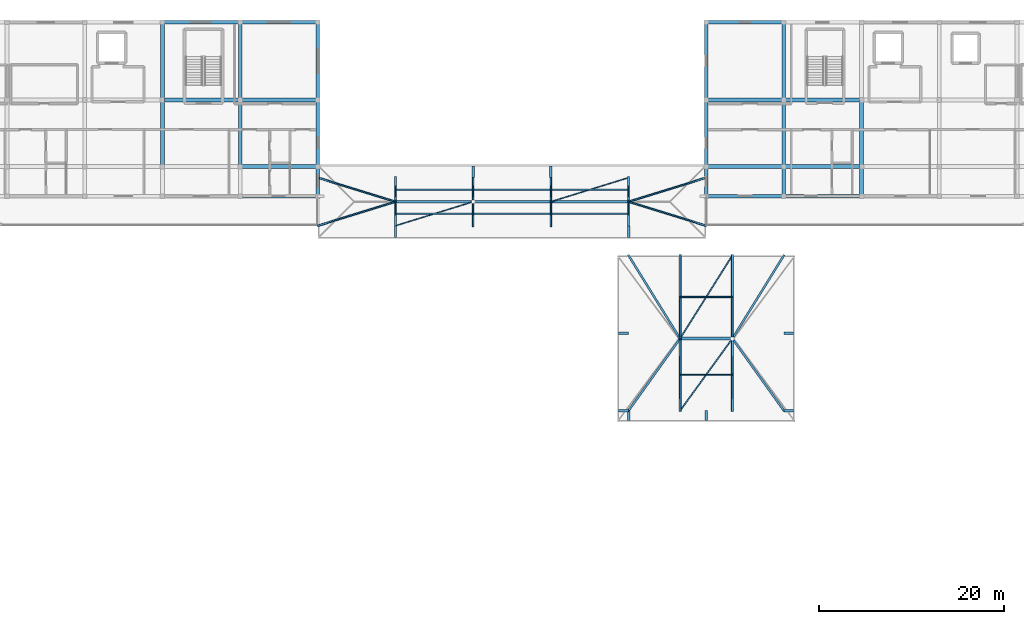
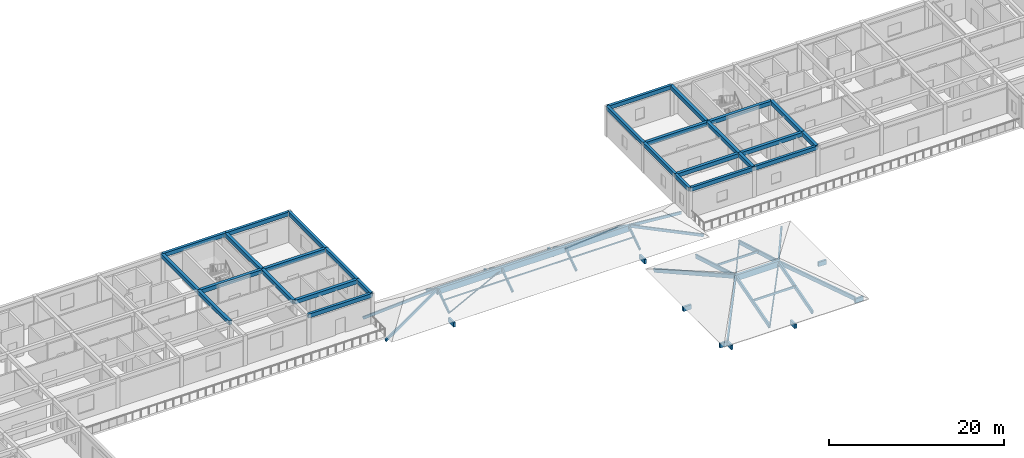
# One storey, part 4 of 26: 40 beams, 32 members.
"""IFC4 building model written with IfcOpenShell, lengths in metres."""

from ifc_helpers import new_model, si_unit, direction, frame, origin, origin_2d, place, context, subcontext, project, spatial, rectangle, hollow_rectangle, extrude, material, material_profile, profile_set, type_object, element, save


model = new_model("IFC4")

# Units and contexts
model_context = context("Model", 3, precision=1e-05, world=origin(), true_north=direction((0.0, 1.0)))
body_context = subcontext(model_context, "Body", "Model", "MODEL_VIEW")
ifc_project = project(units=[si_unit("LENGTHUNIT", "METRE"), si_unit("AREAUNIT", "SQUARE_METRE"), si_unit("VOLUMEUNIT", "CUBIC_METRE"), si_unit("PLANEANGLEUNIT", "RADIAN"), si_unit("MASSUNIT", "GRAM", prefix="KILO")], contexts=[model_context])

# Site, building, storey
site_placement = place(None, origin())
site = spatial("IfcSite", under=ifc_project, at=site_placement, CompositionType="ELEMENT")
building_placement = place(site_placement, origin())
building = spatial("IfcBuilding", under=site, at=building_placement, Name="Varncliffe General Hospital", CompositionType="ELEMENT")
storey_placement = place(building_placement, frame((0.0, 0.0, 28.800048828125)))
storey = spatial("IfcBuildingStorey", under=building, at=storey_placement, Name="L06", CompositionType="ELEMENT", Elevation=28.800048828125)

# Beams
ifc_material_1 = material(Name="Concrete C35/45 (CSA A23.1 35 MPa)", Category="concrete")
ifc_material_profile_1 = material_profile(ifc_material_1, rectangle(XDim=0.39990234375, YDim=0.550048828125, at=origin_2d()), Name="RC 400x550")
ifc_profile_set_1 = profile_set([ifc_material_profile_1], Name="Concrete C35/45 (CSA A23.1 35 MPa)")
beam_type_1 = type_object("IfcBeamType", Name="Beam B32 (Int RC 400x550)", PredefinedType="BEAM", material=ifc_profile_set_1)
beam_1_placement = place(storey_placement, frame((58.800048828125, 109.199951171875, 3.925048828125), z_axis=(1.0, 0.0, 0.0), x_axis=(0.0, 1.0, 0.0)))
element("IfcBeam", 1, at=beam_1_placement, inside=storey, type_object=beam_type_1, Name="L06 Primary Beam B32-42", PredefinedType="BEAM", context=body_context, shape_type="SweptSolid", body=[
    extrude(rectangle(XDim=0.39990234375, YDim=0.550048828125, at=origin_2d()), origin(), (0.0, 0.0, 1.0), 8.39990234375),
])
beam_2_placement = place(storey_placement, frame((109.199951171875, 109.199951171875, 3.925048828125), z_axis=(1.0, 0.0, 0.0), x_axis=(0.0, 1.0, 0.0)))
element("IfcBeam", 2, at=beam_2_placement, inside=storey, type_object=beam_type_1, Name="L06 Primary Beam B32-43", PredefinedType="BEAM", context=body_context, shape_type="SweptSolid", body=[
    extrude(rectangle(XDim=0.39990234375, YDim=0.550048828125, at=origin_2d()), origin(), (0.0, 0.0, 1.0), 8.400146484375),
])
beam_3_placement = place(storey_placement, frame((117.60009765625, 109.199951171875, 3.925048828125), z_axis=(1.0, 0.0, 0.0), x_axis=(0.0, 1.0, 0.0)))
element("IfcBeam", 3, at=beam_3_placement, inside=storey, type_object=beam_type_1, Name="L06 Primary Beam B32-44", PredefinedType="BEAM", context=body_context, shape_type="SweptSolid", body=[
    extrude(rectangle(XDim=0.39990234375, YDim=0.550048828125, at=origin_2d()), origin(), (0.0, 0.0, 1.0), 8.39990234375),
])
beam_4_placement = place(storey_placement, frame((50.39990234375, 116.39990234375, 3.925048828125), z_axis=(1.0, 0.0, 0.0), x_axis=(0.0, 1.0, 0.0)))
element("IfcBeam", 4, at=beam_4_placement, inside=storey, type_object=beam_type_1, Name="L06 Primary Beam B32-57", PredefinedType="BEAM", context=body_context, shape_type="SweptSolid", body=[
    extrude(rectangle(XDim=0.39990234375, YDim=0.550048828125, at=origin_2d()), origin(), (0.0, 0.0, 1.0), 8.400146484375),
])
beam_5_placement = place(storey_placement, frame((58.800048828125, 116.39990234375, 3.925048828125), z_axis=(1.0, 0.0, 0.0), x_axis=(0.0, 1.0, 0.0)))
element("IfcBeam", 5, at=beam_5_placement, inside=storey, type_object=beam_type_1, Name="L06 Primary Beam B32-58", PredefinedType="BEAM", context=body_context, shape_type="SweptSolid", body=[
    extrude(rectangle(XDim=0.39990234375, YDim=0.550048828125, at=origin_2d()), origin(), (0.0, 0.0, 1.0), 8.39990234375),
])
beam_6_placement = place(storey_placement, frame((109.199951171875, 116.39990234375, 3.925048828125), z_axis=(1.0, 0.0, 0.0), x_axis=(0.0, 1.0, 0.0)))
element("IfcBeam", 6, at=beam_6_placement, inside=storey, type_object=beam_type_1, Name="L06 Primary Beam B32-59", PredefinedType="BEAM", context=body_context, shape_type="SweptSolid", body=[
    extrude(rectangle(XDim=0.39990234375, YDim=0.550048828125, at=origin_2d()), origin(), (0.0, 0.0, 1.0), 8.400146484375),
])
beam_7_placement = place(storey_placement, frame((117.60009765625, 116.39990234375, 3.925048828125), z_axis=(1.0, 0.0, 0.0), x_axis=(0.0, 1.0, 0.0)))
element("IfcBeam", 7, at=beam_7_placement, inside=storey, type_object=beam_type_1, Name="L06 Primary Beam B32-60", PredefinedType="BEAM", context=body_context, shape_type="SweptSolid", body=[
    extrude(rectangle(XDim=0.39990234375, YDim=0.550048828125, at=origin_2d()), origin(), (0.0, 0.0, 1.0), 8.39990234375),
])
beam_8_placement = place(storey_placement, frame((50.39990234375, 109.199951171875, 3.925048828125), z_axis=(0.0, 1.0, 0.0), x_axis=(-1.0, 0.0, 0.0)))
element("IfcBeam", 8, at=beam_8_placement, inside=storey, type_object=beam_type_1, Name="L06 Primary Beam B32-114", PredefinedType="BEAM", context=body_context, shape_type="SweptSolid", body=[
    extrude(rectangle(XDim=0.39990234375, YDim=0.550048828125, at=origin_2d()), origin(), (0.0, 0.0, 1.0), 7.199951171875),
])
beam_9_placement = place(storey_placement, frame((50.39990234375, 116.39990234375, 3.925048828125), z_axis=(0.0, 1.0, 0.0), x_axis=(-1.0, 0.0, 0.0)))
element("IfcBeam", 9, at=beam_9_placement, inside=storey, type_object=beam_type_1, Name="L06 Primary Beam B32-115", PredefinedType="BEAM", context=body_context, shape_type="SweptSolid", body=[
    extrude(rectangle(XDim=0.39990234375, YDim=0.550048828125, at=origin_2d()), origin(), (0.0, 0.0, 1.0), 8.400146484375),
])
beam_10_placement = place(storey_placement, frame((58.800048828125, 109.199951171875, 3.925048828125), z_axis=(0.0, 1.0, 0.0), x_axis=(-1.0, 0.0, 0.0)))
element("IfcBeam", 10, at=beam_10_placement, inside=storey, type_object=beam_type_1, Name="L06 Primary Beam B32-117", PredefinedType="BEAM", context=body_context, shape_type="SweptSolid", body=[
    extrude(rectangle(XDim=0.39990234375, YDim=0.550048828125, at=origin_2d()), origin(), (0.0, 0.0, 1.0), 7.199951171875),
])
beam_11_placement = place(storey_placement, frame((58.800048828125, 116.39990234375, 3.925048828125), z_axis=(0.0, 1.0, 0.0), x_axis=(-1.0, 0.0, 0.0)))
element("IfcBeam", 11, at=beam_11_placement, inside=storey, type_object=beam_type_1, Name="L06 Primary Beam B32-118", PredefinedType="BEAM", context=body_context, shape_type="SweptSolid", body=[
    extrude(rectangle(XDim=0.39990234375, YDim=0.550048828125, at=origin_2d()), origin(), (0.0, 0.0, 1.0), 8.400146484375),
])
beam_12_placement = place(storey_placement, frame((117.60009765625, 106.0, 3.925048828125), z_axis=(0.0, 1.0, 0.0), x_axis=(-1.0, 0.0, 0.0)))
element("IfcBeam", 12, at=beam_12_placement, inside=storey, type_object=beam_type_1, Name="L06 Primary Beam B32-125", PredefinedType="BEAM", context=body_context, shape_type="SweptSolid", body=[
    extrude(rectangle(XDim=0.39990234375, YDim=0.550048828125, at=origin_2d()), origin(), (0.0, 0.0, 1.0), 3.199951171875),
])
beam_13_placement = place(storey_placement, frame((117.60009765625, 109.199951171875, 3.925048828125), z_axis=(0.0, 1.0, 0.0), x_axis=(-1.0, 0.0, 0.0)))
element("IfcBeam", 13, at=beam_13_placement, inside=storey, type_object=beam_type_1, Name="L06 Primary Beam B32-126", PredefinedType="BEAM", context=body_context, shape_type="SweptSolid", body=[
    extrude(rectangle(XDim=0.39990234375, YDim=0.550048828125, at=origin_2d()), origin(), (0.0, 0.0, 1.0), 7.199951171875),
])
beam_14_placement = place(storey_placement, frame((117.60009765625, 116.39990234375, 3.925048828125), z_axis=(0.0, 1.0, 0.0), x_axis=(-1.0, 0.0, 0.0)))
element("IfcBeam", 14, at=beam_14_placement, inside=storey, type_object=beam_type_1, Name="L06 Primary Beam B32-127", PredefinedType="BEAM", context=body_context, shape_type="SweptSolid", body=[
    extrude(rectangle(XDim=0.39990234375, YDim=0.550048828125, at=origin_2d()), origin(), (0.0, 0.0, 1.0), 8.400146484375),
])
beam_15_placement = place(storey_placement, frame((126.0, 106.0, 3.925048828125), z_axis=(0.0, 1.0, 0.0), x_axis=(-1.0, 0.0, 0.0)))
element("IfcBeam", 15, at=beam_15_placement, inside=storey, type_object=beam_type_1, Name="L06 Primary Beam B32-128", PredefinedType="BEAM", context=body_context, shape_type="SweptSolid", body=[
    extrude(rectangle(XDim=0.39990234375, YDim=0.550048828125, at=origin_2d()), origin(), (0.0, 0.0, 1.0), 3.199951171875),
])
beam_16_placement = place(storey_placement, frame((126.0, 109.199951171875, 3.925048828125), z_axis=(0.0, 1.0, 0.0), x_axis=(-1.0, 0.0, 0.0)))
element("IfcBeam", 16, at=beam_16_placement, inside=storey, type_object=beam_type_1, Name="L06 Primary Beam B32-129", PredefinedType="BEAM", context=body_context, shape_type="SweptSolid", body=[
    extrude(rectangle(XDim=0.39990234375, YDim=0.550048828125, at=origin_2d()), origin(), (0.0, 0.0, 1.0), 7.199951171875),
])
ifc_material_2 = material(Name="Glulam GL28h (CSA O86 24f-EX, 30 MPa)", Category="wood")
ifc_material_profile_2 = material_profile(ifc_material_2, rectangle(XDim=0.31494140625, YDim=0.8359375, at=origin_2d()), Name="GL 315x836")
ifc_profile_set_2 = profile_set([ifc_material_profile_2], Name="Glulam GL28h (CSA O86 24f-EX, 30 MPa)")
beam_type_2 = type_object("IfcBeamType", Name="Beam B74 (Int GL 315x836)", PredefinedType="BEAM", material=ifc_profile_set_2)
beam_17_placement = place(storey_placement, frame((106.2099609375, 90.60009765625, 1.91943359375), z_axis=(1.0, 0.0, 0.0), x_axis=(0.0, 1.0, 0.0)))
element("IfcBeam", 17, at=beam_17_placement, inside=storey, type_object=beam_type_2, Name="L06 RF-V4-PH Glulam Ridge Girder", PredefinedType="BEAM", context=body_context, shape_type="SweptSolid", body=[
    extrude(rectangle(XDim=0.31494140625, YDim=0.8359375, at=origin_2d()), origin(), (0.0, 0.0, 1.0), 5.97998046875),
])
beam_18_placement = place(storey_placement, frame((75.43994140625, 105.39990234375, 1.845458984375), z_axis=(1.0, 0.0, 0.0), x_axis=(0.0, 1.0, 0.0)))
element("IfcBeam", 18, at=beam_18_placement, inside=storey, type_object=beam_type_2, Name="L06 RF-V6-LINK Glulam Ridge Girder", PredefinedType="BEAM", context=body_context, shape_type="SweptSolid", body=[
    extrude(rectangle(XDim=0.31494140625, YDim=0.8359375, at=origin_2d()), origin(), (0.0, 0.0, 1.0), 25.52001953125),
])
ifc_material_profile_3 = material_profile(ifc_material_2, rectangle(XDim=0.264892578125, YDim=0.60791015625, at=origin_2d()), Name="GL 265x608")
ifc_profile_set_3 = profile_set([ifc_material_profile_3], Name="Glulam GL28h (CSA O86 24f-EX, 30 MPa)")
beam_type_3 = type_object("IfcBeamType", Name="Beam B82 (Ext GL 265x608)", PredefinedType="BEAM", material=ifc_profile_set_3)
for number, where, z_axis, x_axis, name in (
    (19, (109.199951171875, 81.739990234375, -0.512939453125), (0.0, 1.0, 0.0), (-1.0, 0.0, 0.0), "L06 RF-V4-PH South Eave Lookout Bracket 1"),
    (20, (100.800048828125, 81.739990234375, -0.512939453125), (0.0, 1.0, 0.0), (-1.0, 0.0, 0.0), "L06 RF-V4-PH South Eave Lookout Bracket 2"),
    (21, (99.739990234375, 91.199951171875, -0.512939453125), (1.0, 0.0, 0.0), (0.0, 1.0, 0.0), "L06 RF-V4-PH West Eave Lookout Bracket 1"),
    (22, (99.739990234375, 82.800048828125, -0.512939453125), (1.0, 0.0, 0.0), (0.0, 1.0, 0.0), "L06 RF-V4-PH West Eave Lookout Bracket 2"),
):
    element("IfcBeam", number, at=place(storey_placement, frame(where, z_axis=z_axis, x_axis=x_axis)), inside=storey, type_object=beam_type_3, Name=name, PredefinedType="BEAM", context=body_context, shape_type="SweptSolid", body=[
        extrude(rectangle(XDim=0.264892578125, YDim=0.60791015625, at=origin_2d()), origin(), (0.0, 0.0, 1.0), 1.06005859375),
    ])
for number, where, z_axis, x_axis, name in (
    (23, (117.60009765625, 91.199951171875, -0.512939453125), (1.0, 0.0, 0.0), (0.0, 1.0, 0.0), "L06 RF-V4-PH East Eave Lookout Bracket 1"),
    (24, (117.60009765625, 82.800048828125, -0.512939453125), (1.0, 0.0, 0.0), (0.0, 1.0, 0.0), "L06 RF-V4-PH East Eave Lookout Bracket 2"),
):
    element("IfcBeam", number, at=place(storey_placement, frame(where, z_axis=z_axis, x_axis=x_axis)), inside=storey, type_object=beam_type_3, Name=name, PredefinedType="BEAM", context=body_context, shape_type="SweptSolid", body=[
        extrude(rectangle(XDim=0.264892578125, YDim=0.60791015625, at=origin_2d()), origin(), (0.0, 0.0, 1.0), 1.059814453125),
    ])
for number, where, z_axis, x_axis, name in (
    (25, (75.60009765625, 101.5400390625, -0.54638671875), (0.0, 1.0, 0.0), (-1.0, 0.0, 0.0), "L06 RF-V6-LINK South Eave Lookout Bracket 1"),
    (26, (100.800048828125, 101.5400390625, -0.54638671875), (0.0, 1.0, 0.0), (-1.0, 0.0, 0.0), "L06 RF-V6-LINK South Eave Lookout Bracket 2"),
    (27, (84.0, 108.0, -0.54638671875), (0.0, 1.0, 0.0), (-1.0, 0.0, 0.0), "L06 RF-V6-LINK North Eave Lookout Bracket 1"),
    (28, (92.39990234375, 108.0, -0.54638671875), (0.0, 1.0, 0.0), (-1.0, 0.0, 0.0), "L06 RF-V6-LINK North Eave Lookout Bracket 2"),
):
    element("IfcBeam", number, at=place(storey_placement, frame(where, z_axis=z_axis, x_axis=x_axis)), inside=storey, type_object=beam_type_3, Name=name, PredefinedType="BEAM", context=body_context, shape_type="SweptSolid", body=[
        extrude(rectangle(XDim=0.264892578125, YDim=0.60791015625, at=origin_2d()), origin(), (0.0, 0.0, 1.0), 1.260009765625),
    ])

# Members
ifc_material_3 = material(Name="Steel S355 (CSA G40.21 350W)", Category="steel")
ifc_material_profile_4 = material_profile(ifc_material_3, hollow_rectangle(XDim=0.152099609375, YDim=0.25390625, WallThickness=0.009521484375, InnerFilletRadius=0.010009765625, OuterFilletRadius=0.01904296875, at=origin_2d()), Name="HSS 254x152x9.5")
ifc_profile_set_4 = profile_set([ifc_material_profile_4], Name="Steel S355 (CSA G40.21 350W)")
member_type_1 = type_object("IfcMemberType", Name="Member MB25 (BRACE Int HSS 254x152x9.5)", PredefinedType="BRACE", material=ifc_profile_set_4)
member_1_placement = place(storey_placement, frame((106.3701171875, 82.800048828125, -0.203369140625), z_axis=(0.573549762728, 0.790421488564, 0.215115178662), x_axis=(-0.809369902197, 0.587299209447, 0.0)))
element("IfcMember", 29, at=member_1_placement, inside=storey, type_object=member_type_1, Name="L06 RF-V4-PH Lateral Wind Brace 1", PredefinedType="BRACE", context=body_context, shape_type="SweptSolid", body=[
    extrude(hollow_rectangle(XDim=0.152099609375, YDim=0.25390625, WallThickness=0.009521484375, InnerFilletRadius=0.010009765625, OuterFilletRadius=0.01904296875, at=origin_2d()), origin(), (0.0, 0.0, 1.0), 9.8681640625),
])
member_2_placement = place(storey_placement, frame((112.030029296875, 99.60009765625, -0.5556640625), z_axis=(-0.518493289236, -0.824472096554, 0.226738772647), x_axis=(0.84651917258, -0.532358235078, 0.0)))
element("IfcMember", 30, at=member_2_placement, inside=storey, type_object=member_type_1, Name="L06 RF-V4-PH Lateral Wind Brace 2", PredefinedType="BRACE", context=body_context, shape_type="SweptSolid", body=[
    extrude(hollow_rectangle(XDim=0.152099609375, YDim=0.25390625, WallThickness=0.009521484375, InnerFilletRadius=0.010009765625, OuterFilletRadius=0.01904296875, at=origin_2d()), origin(), (0.0, 0.0, 1.0), 10.916015625),
])
ifc_material_profile_5 = material_profile(ifc_material_3, hollow_rectangle(XDim=0.10205078125, YDim=0.202880859375, WallThickness=0.008056640625, InnerFilletRadius=0.008056640625, OuterFilletRadius=0.01611328125, at=origin_2d()), Name="HSS 203x102x8.0")
ifc_profile_set_5 = profile_set([ifc_material_profile_5], Name="Steel S355 (CSA G40.21 350W)")
member_type_2 = type_object("IfcMemberType", Name="Member MB29 (PURLIN Int HSS 203x102x8.0)", PredefinedType="PURLIN", material=ifc_profile_set_5)
for number, where, z_axis, x_axis, name in (
    (31, (75.60009765625, 104.10009765625, 1.3525390625), (1.0, 0.0, 0.0), (0.0, 1.0, 0.0), "L06 RF-V6-LINK Timber Purlin S1"),
    (32, (84.0, 104.10009765625, 1.3525390625), (1.0, 0.0, 0.0), (0.0, 1.0, 0.0), "L06 RF-V6-LINK Timber Purlin S2"),
):
    element("IfcMember", number, at=place(storey_placement, frame(where, z_axis=z_axis, x_axis=x_axis)), inside=storey, type_object=member_type_2, Name=name, PredefinedType="PURLIN", context=body_context, shape_type="SweptSolid", body=[
        extrude(hollow_rectangle(XDim=0.10205078125, YDim=0.202880859375, WallThickness=0.008056640625, InnerFilletRadius=0.008056640625, OuterFilletRadius=0.01611328125, at=origin_2d()), origin(), (0.0, 0.0, 1.0), 8.39990234375),
    ])
member_3_placement = place(storey_placement, frame((92.39990234375, 104.10009765625, 1.3525390625), z_axis=(1.0, 0.0, 0.0), x_axis=(0.0, 1.0, 0.0)))
element("IfcMember", 33, at=member_3_placement, inside=storey, type_object=member_type_2, Name="L06 RF-V6-LINK Timber Purlin S3", PredefinedType="PURLIN", context=body_context, shape_type="SweptSolid", body=[
    extrude(hollow_rectangle(XDim=0.10205078125, YDim=0.202880859375, WallThickness=0.008056640625, InnerFilletRadius=0.008056640625, OuterFilletRadius=0.01611328125, at=origin_2d()), origin(), (0.0, 0.0, 1.0), 8.400146484375),
])
for number, where, z_axis, x_axis, name in (
    (34, (75.60009765625, 106.699951171875, 1.3525390625), (1.0, 0.0, 0.0), (0.0, 1.0, 0.0), "L06 RF-V6-LINK Timber Purlin N1"),
    (35, (84.0, 106.699951171875, 1.3525390625), (1.0, 0.0, 0.0), (0.0, 1.0, 0.0), "L06 RF-V6-LINK Timber Purlin N2"),
):
    element("IfcMember", number, at=place(storey_placement, frame(where, z_axis=z_axis, x_axis=x_axis)), inside=storey, type_object=member_type_2, Name=name, PredefinedType="PURLIN", context=body_context, shape_type="SweptSolid", body=[
        extrude(hollow_rectangle(XDim=0.10205078125, YDim=0.202880859375, WallThickness=0.008056640625, InnerFilletRadius=0.008056640625, OuterFilletRadius=0.01611328125, at=origin_2d()), origin(), (0.0, 0.0, 1.0), 8.39990234375),
    ])
member_4_placement = place(storey_placement, frame((92.39990234375, 106.699951171875, 1.3525390625), z_axis=(1.0, 0.0, 0.0), x_axis=(0.0, 1.0, 0.0)))
element("IfcMember", 36, at=member_4_placement, inside=storey, type_object=member_type_2, Name="L06 RF-V6-LINK Timber Purlin N3", PredefinedType="PURLIN", context=body_context, shape_type="SweptSolid", body=[
    extrude(hollow_rectangle(XDim=0.10205078125, YDim=0.202880859375, WallThickness=0.008056640625, InnerFilletRadius=0.008056640625, OuterFilletRadius=0.01611328125, at=origin_2d()), origin(), (0.0, 0.0, 1.0), 8.400146484375),
])
ifc_material_profile_6 = material_profile(ifc_material_2, rectangle(XDim=0.1298828125, YDim=0.303955078125, at=origin_2d()), Name="GL 130x304")
ifc_profile_set_6 = profile_set([ifc_material_profile_6], Name="Glulam GL28h (CSA O86 24f-EX, 30 MPa)")
member_type_3 = type_object("IfcMemberType", Name="Member MB40 (PURLIN Int GL 130x304)", PredefinedType="PURLIN", material=ifc_profile_set_6)
for number, where, z_axis, x_axis, name in (
    (37, (106.3701171875, 86.699951171875, 1.0693359375), (1.0, 0.0, 0.0), (0.0, 1.0, 0.0), "L06 RF-V4-PH Timber Purlin S1"),
    (38, (106.3701171875, 95.10009765625, 0.89306640625), (1.0, 0.0, 0.0), (0.0, 1.0, 0.0), "L06 RF-V4-PH Timber Purlin N1"),
):
    element("IfcMember", number, at=place(storey_placement, frame(where, z_axis=z_axis, x_axis=x_axis)), inside=storey, type_object=member_type_3, Name=name, PredefinedType="PURLIN", context=body_context, shape_type="SweptSolid", body=[
        extrude(rectangle(XDim=0.1298828125, YDim=0.303955078125, at=origin_2d()), origin(), (0.0, 0.0, 1.0), 5.659912109375),
    ])
ifc_material_profile_7 = material_profile(ifc_material_3, hollow_rectangle(XDim=0.126953125, YDim=0.126953125, WallThickness=0.00634765625, InnerFilletRadius=0.006103515625, OuterFilletRadius=0.012939453125, at=origin_2d()), Name="HSS 127x127x6.4")
ifc_profile_set_7 = profile_set([ifc_material_profile_7], Name="Steel S355 (CSA G40.21 350W)")
member_type_4 = type_object("IfcMemberType", Name="Member MB49 (BRACE Int HSS 127x127x6.4)", PredefinedType="BRACE", material=ifc_profile_set_7)
member_5_placement = place(storey_placement, frame((75.60009765625, 102.800048828125, 0.346435546875), z_axis=(0.941703331769, 0.291466569203, 0.168053782976), x_axis=(-0.295671662465, 0.9552896252, 0.0)))
element("IfcMember", 39, at=member_5_placement, inside=storey, type_object=member_type_4, Name="L06 RF-V6-LINK Lateral Wind Brace 1", PredefinedType="BRACE", context=body_context, shape_type="SweptSolid", body=[
    extrude(hollow_rectangle(XDim=0.126953125, YDim=0.126953125, WallThickness=0.00634765625, InnerFilletRadius=0.006103515625, OuterFilletRadius=0.012939453125, at=origin_2d()), origin(), (0.0, 0.0, 1.0), 8.919921875),
])
member_6_placement = place(storey_placement, frame((100.800048828125, 108.0, 0.346435546875), z_axis=(-0.941698917457, -0.291484101227, 0.168048110942), x_axis=(0.29568915739, -0.955284210171, 0.0)))
element("IfcMember", 40, at=member_6_placement, inside=storey, type_object=member_type_4, Name="L06 RF-V6-LINK Lateral Wind Brace 2", PredefinedType="BRACE", context=body_context, shape_type="SweptSolid", body=[
    extrude(hollow_rectangle(XDim=0.126953125, YDim=0.126953125, WallThickness=0.00634765625, InnerFilletRadius=0.006103515625, OuterFilletRadius=0.012939453125, at=origin_2d()), origin(), (0.0, 0.0, 1.0), 8.920166015625),
])
ifc_material_profile_8 = material_profile(ifc_material_2, rectangle(XDim=0.175048828125, YDim=0.3798828125, at=origin_2d()), Name="GL 175x380")
ifc_profile_set_8 = profile_set([ifc_material_profile_8], Name="Glulam GL28h (CSA O86 24f-EX, 30 MPa)")
member_type_5 = type_object("IfcMemberType", Name="Member MB55 (RAFTER Int GL 175x380)", PredefinedType="RAFTER", material=ifc_profile_set_8)
for number, where, z_axis, x_axis, name in (
    (41, (67.199951171875, 102.800048828125, -0.56640625), (0.913216117967, 0.282658953937, 0.293496571776), (-0.29568069449, 0.955286829652, 0.0), "L06 RF-V6-LINK Hip Rafter SW"),
    (42, (67.199951171875, 108.0, -0.56640625), (0.913216117967, -0.282658953937, 0.293496571776), (0.29568069449, 0.955286829652, 0.0), "L06 RF-V6-LINK Hip Rafter NW"),
):
    element("IfcMember", number, at=place(storey_placement, frame(where, z_axis=z_axis, x_axis=x_axis)), inside=storey, type_object=member_type_5, Name=name, PredefinedType="RAFTER", context=body_context, shape_type="SweptSolid", body=[
        extrude(rectangle(XDim=0.175048828125, YDim=0.3798828125, at=origin_2d()), origin(), (0.0, 0.0, 1.0), 9.14599609375),
    ])
for number, where, z_axis, x_axis, name in (
    (43, (109.199951171875, 102.800048828125, -0.56640625), (-0.913211685691, 0.282665844484, 0.293503726518), (-0.295688581925, -0.955284388295, 0.0), "L06 RF-V6-LINK Hip Rafter SE"),
    (44, (109.199951171875, 108.0, -0.56640625), (-0.913211685691, -0.282665844484, 0.293503726518), (0.295688581925, -0.955284388295, 0.0), "L06 RF-V6-LINK Hip Rafter NE"),
):
    element("IfcMember", number, at=place(storey_placement, frame(where, z_axis=z_axis, x_axis=x_axis)), inside=storey, type_object=member_type_5, Name=name, PredefinedType="RAFTER", context=body_context, shape_type="SweptSolid", body=[
        extrude(rectangle(XDim=0.175048828125, YDim=0.3798828125, at=origin_2d()), origin(), (0.0, 0.0, 1.0), 9.145751953125),
    ])
for number, where, z_axis, x_axis, name in (
    (45, (75.60009765625, 102.800048828125, 0.346435546875), (0.0, 0.829391697249, 0.558667533095), (-1.0, 0.0, 0.0), "L06 RF-V6-LINK South Sloped Glulam Rafter 1"),
    (46, (75.60009765625, 108.0, 0.346435546875), (0.0, -0.829391697249, 0.558667533095), (1.0, 0.0, 0.0), "L06 RF-V6-LINK North Sloped Glulam Rafter 1"),
    (47, (84.0, 102.800048828125, 0.346435546875), (0.0, 0.829391697249, 0.558667533095), (-1.0, 0.0, 0.0), "L06 RF-V6-LINK South Sloped Glulam Rafter 2"),
    (48, (84.0, 108.0, 0.346435546875), (0.0, -0.829391697249, 0.558667533095), (1.0, 0.0, 0.0), "L06 RF-V6-LINK North Sloped Glulam Rafter 2"),
    (49, (92.39990234375, 102.800048828125, 0.346435546875), (0.0, 0.829391697249, 0.558667533095), (-1.0, 0.0, 0.0), "L06 RF-V6-LINK South Sloped Glulam Rafter 3"),
    (50, (92.39990234375, 108.0, 0.346435546875), (0.0, -0.829391697249, 0.558667533095), (1.0, 0.0, 0.0), "L06 RF-V6-LINK North Sloped Glulam Rafter 3"),
    (51, (100.800048828125, 102.800048828125, 0.346435546875), (0.0, 0.829391697249, 0.558667533095), (-1.0, 0.0, 0.0), "L06 RF-V6-LINK South Sloped Glulam Rafter 4"),
    (52, (100.800048828125, 108.0, 0.346435546875), (0.0, -0.829391697249, 0.558667533095), (1.0, 0.0, 0.0), "L06 RF-V6-LINK North Sloped Glulam Rafter 4"),
):
    element("IfcMember", number, at=place(storey_placement, frame(where, z_axis=z_axis, x_axis=x_axis)), inside=storey, type_object=member_type_5, Name=name, PredefinedType="RAFTER", context=body_context, shape_type="SweptSolid", body=[
        extrude(rectangle(XDim=0.175048828125, YDim=0.3798828125, at=origin_2d()), origin(), (0.0, 0.0, 1.0), 3.0625),
    ])
ifc_material_profile_9 = material_profile(ifc_material_2, rectangle(XDim=0.215087890625, YDim=0.531982421875, at=origin_2d()), Name="GL 215x532")
ifc_profile_set_9 = profile_set([ifc_material_profile_9], Name="Glulam GL28h (CSA O86 24f-EX, 30 MPa)")
member_type_6 = type_object("IfcMemberType", Name="Member MB62 (RAFTER Int GL 215x532)", PredefinedType="RAFTER", material=ifc_profile_set_9)
member_7_placement = place(storey_placement, frame((100.800048828125, 82.800048828125, -0.19970703125), z_axis=(0.565235950928, 0.791554483032, 0.232271005876), x_axis=(-0.813811320124, 0.5811291898, 0.0)))
element("IfcMember", 53, at=member_7_placement, inside=storey, type_object=member_type_6, Name="L06 RF-V4-PH Hip Rafter SW", PredefinedType="RAFTER", context=body_context, shape_type="SweptSolid", body=[
    extrude(rectangle(XDim=0.215087890625, YDim=0.531982421875, at=origin_2d()), origin(), (0.0, 0.0, 1.0), 9.802490234375),
])
member_8_placement = place(storey_placement, frame((100.800048828125, 99.60009765625, -0.552490234375), z_axis=(0.51059952381, -0.825027371673, 0.242111466634), x_axis=(0.850325892429, 0.526256474227, 0.0)))
element("IfcMember", 54, at=member_8_placement, inside=storey, type_object=member_type_6, Name="L06 RF-V4-PH Hip Rafter NW", PredefinedType="RAFTER", context=body_context, shape_type="SweptSolid", body=[
    extrude(rectangle(XDim=0.215087890625, YDim=0.531982421875, at=origin_2d()), origin(), (0.0, 0.0, 1.0), 10.857177734375),
])
member_9_placement = place(storey_placement, frame((117.60009765625, 82.800048828125, -0.19970703125), z_axis=(-0.565252899139, 0.791543339815, 0.232267736049), x_axis=(-0.813799210273, -0.58114614802, 0.0)))
element("IfcMember", 55, at=member_9_placement, inside=storey, type_object=member_type_6, Name="L06 RF-V4-PH Hip Rafter SE", PredefinedType="RAFTER", context=body_context, shape_type="SweptSolid", body=[
    extrude(rectangle(XDim=0.215087890625, YDim=0.531982421875, at=origin_2d()), origin(), (0.0, 0.0, 1.0), 9.802734375),
])
member_10_placement = place(storey_placement, frame((117.60009765625, 99.60009765625, -0.552490234375), z_axis=(-0.51059952381, -0.825027371673, 0.242111466634), x_axis=(0.850325892429, -0.526256474227, 0.0)))
element("IfcMember", 56, at=member_10_placement, inside=storey, type_object=member_type_6, Name="L06 RF-V4-PH Hip Rafter NE", PredefinedType="RAFTER", context=body_context, shape_type="SweptSolid", body=[
    extrude(rectangle(XDim=0.215087890625, YDim=0.531982421875, at=origin_2d()), origin(), (0.0, 0.0, 1.0), 10.857177734375),
])
member_11_placement = place(storey_placement, frame((106.3701171875, 82.800048828125, -0.203369140625), z_axis=(0.0, 0.959540746531, 0.281569806169), x_axis=(-1.0, 0.0, 0.0)))
element("IfcMember", 57, at=member_11_placement, inside=storey, type_object=member_type_6, Name="L06 RF-V4-PH South Sloped Glulam Rafter 1", PredefinedType="RAFTER", context=body_context, shape_type="SweptSolid", body=[
    extrude(rectangle(XDim=0.215087890625, YDim=0.531982421875, at=origin_2d()), origin(), (0.0, 0.0, 1.0), 8.06640625),
])
member_12_placement = place(storey_placement, frame((106.3701171875, 99.60009765625, -0.5556640625), z_axis=(0.0, -0.959537646732, 0.281580369529), x_axis=(1.0, 0.0, 0.0)))
element("IfcMember", 58, at=member_12_placement, inside=storey, type_object=member_type_6, Name="L06 RF-V4-PH North Sloped Glulam Rafter 1", PredefinedType="RAFTER", context=body_context, shape_type="SweptSolid", body=[
    extrude(rectangle(XDim=0.215087890625, YDim=0.531982421875, at=origin_2d()), origin(), (0.0, 0.0, 1.0), 9.317138671875),
])
member_13_placement = place(storey_placement, frame((112.030029296875, 82.800048828125, -0.203369140625), z_axis=(0.0, 0.959540746531, 0.281569806169), x_axis=(-1.0, 0.0, 0.0)))
element("IfcMember", 59, at=member_13_placement, inside=storey, type_object=member_type_6, Name="L06 RF-V4-PH South Sloped Glulam Rafter 2", PredefinedType="RAFTER", context=body_context, shape_type="SweptSolid", body=[
    extrude(rectangle(XDim=0.215087890625, YDim=0.531982421875, at=origin_2d()), origin(), (0.0, 0.0, 1.0), 8.06640625),
])
member_14_placement = place(storey_placement, frame((112.030029296875, 99.60009765625, -0.5556640625), z_axis=(0.0, -0.959537646732, 0.281580369529), x_axis=(1.0, 0.0, 0.0)))
element("IfcMember", 60, at=member_14_placement, inside=storey, type_object=member_type_6, Name="L06 RF-V4-PH North Sloped Glulam Rafter 2", PredefinedType="RAFTER", context=body_context, shape_type="SweptSolid", body=[
    extrude(rectangle(XDim=0.215087890625, YDim=0.531982421875, at=origin_2d()), origin(), (0.0, 0.0, 1.0), 9.317138671875),
])

# Beams
ifc_material_profile_10 = material_profile(ifc_material_1, rectangle(XDim=0.35009765625, YDim=0.550048828125, at=origin_2d()), Name="RC 350x550")
ifc_profile_set_10 = profile_set([ifc_material_profile_10], Name="Concrete C35/45 (CSA A23.1 35 MPa)")
beam_type_4 = type_object("IfcBeamType", Name="Spandrel SP20 (Ext RC 350x550)", PredefinedType="SPANDREL", material=ifc_profile_set_10)
beam_19_placement = place(storey_placement, frame((58.800048828125, 106.0, 3.925048828125), z_axis=(1.0, 0.0, 0.0), x_axis=(0.0, 1.0, 0.0)))
element("IfcBeam", 61, at=beam_19_placement, inside=storey, type_object=beam_type_4, Name="L06 Spandrel Beam SP20-26", PredefinedType="SPANDREL", context=body_context, shape_type="SweptSolid", body=[
    extrude(rectangle(XDim=0.35009765625, YDim=0.550048828125, at=origin_2d()), origin(), (0.0, 0.0, 1.0), 8.39990234375),
])
beam_20_placement = place(storey_placement, frame((109.199951171875, 106.0, 3.925048828125), z_axis=(1.0, 0.0, 0.0), x_axis=(0.0, 1.0, 0.0)))
element("IfcBeam", 62, at=beam_20_placement, inside=storey, type_object=beam_type_4, Name="L06 Spandrel Beam SP20-27", PredefinedType="SPANDREL", context=body_context, shape_type="SweptSolid", body=[
    extrude(rectangle(XDim=0.35009765625, YDim=0.550048828125, at=origin_2d()), origin(), (0.0, 0.0, 1.0), 8.400146484375),
])
beam_21_placement = place(storey_placement, frame((117.60009765625, 106.0, 3.925048828125), z_axis=(1.0, 0.0, 0.0), x_axis=(0.0, 1.0, 0.0)))
element("IfcBeam", 63, at=beam_21_placement, inside=storey, type_object=beam_type_4, Name="L06 Spandrel Beam SP20-28", PredefinedType="SPANDREL", context=body_context, shape_type="SweptSolid", body=[
    extrude(rectangle(XDim=0.35009765625, YDim=0.550048828125, at=origin_2d()), origin(), (0.0, 0.0, 1.0), 8.39990234375),
])
beam_22_placement = place(storey_placement, frame((50.39990234375, 124.800048828125, 3.925048828125), z_axis=(1.0, 0.0, 0.0), x_axis=(0.0, 1.0, 0.0)))
element("IfcBeam", 64, at=beam_22_placement, inside=storey, type_object=beam_type_4, Name="L06 Spandrel Beam SP20-73", PredefinedType="SPANDREL", context=body_context, shape_type="SweptSolid", body=[
    extrude(rectangle(XDim=0.35009765625, YDim=0.550048828125, at=origin_2d()), origin(), (0.0, 0.0, 1.0), 8.400146484375),
])
beam_23_placement = place(storey_placement, frame((58.800048828125, 124.800048828125, 3.925048828125), z_axis=(1.0, 0.0, 0.0), x_axis=(0.0, 1.0, 0.0)))
element("IfcBeam", 65, at=beam_23_placement, inside=storey, type_object=beam_type_4, Name="L06 Spandrel Beam SP20-74", PredefinedType="SPANDREL", context=body_context, shape_type="SweptSolid", body=[
    extrude(rectangle(XDim=0.35009765625, YDim=0.550048828125, at=origin_2d()), origin(), (0.0, 0.0, 1.0), 8.39990234375),
])
beam_24_placement = place(storey_placement, frame((109.199951171875, 124.800048828125, 3.925048828125), z_axis=(1.0, 0.0, 0.0), x_axis=(0.0, 1.0, 0.0)))
element("IfcBeam", 66, at=beam_24_placement, inside=storey, type_object=beam_type_4, Name="L06 Spandrel Beam SP20-75", PredefinedType="SPANDREL", context=body_context, shape_type="SweptSolid", body=[
    extrude(rectangle(XDim=0.35009765625, YDim=0.550048828125, at=origin_2d()), origin(), (0.0, 0.0, 1.0), 8.400146484375),
])
beam_25_placement = place(storey_placement, frame((67.199951171875, 106.0, 3.925048828125), z_axis=(0.0, 1.0, 0.0), x_axis=(-1.0, 0.0, 0.0)))
element("IfcBeam", 67, at=beam_25_placement, inside=storey, type_object=beam_type_4, Name="L06 Spandrel Beam SP20-119", PredefinedType="SPANDREL", context=body_context, shape_type="SweptSolid", body=[
    extrude(rectangle(XDim=0.35009765625, YDim=0.550048828125, at=origin_2d()), origin(), (0.0, 0.0, 1.0), 3.199951171875),
])
beam_26_placement = place(storey_placement, frame((67.199951171875, 109.199951171875, 3.925048828125), z_axis=(0.0, 1.0, 0.0), x_axis=(-1.0, 0.0, 0.0)))
element("IfcBeam", 68, at=beam_26_placement, inside=storey, type_object=beam_type_4, Name="L06 Spandrel Beam SP20-120", PredefinedType="SPANDREL", context=body_context, shape_type="SweptSolid", body=[
    extrude(rectangle(XDim=0.35009765625, YDim=0.550048828125, at=origin_2d()), origin(), (0.0, 0.0, 1.0), 7.199951171875),
])
beam_27_placement = place(storey_placement, frame((67.199951171875, 116.39990234375, 3.925048828125), z_axis=(0.0, 1.0, 0.0), x_axis=(-1.0, 0.0, 0.0)))
element("IfcBeam", 69, at=beam_27_placement, inside=storey, type_object=beam_type_4, Name="L06 Spandrel Beam SP20-121", PredefinedType="SPANDREL", context=body_context, shape_type="SweptSolid", body=[
    extrude(rectangle(XDim=0.35009765625, YDim=0.550048828125, at=origin_2d()), origin(), (0.0, 0.0, 1.0), 8.400146484375),
])
beam_28_placement = place(storey_placement, frame((109.199951171875, 106.0, 3.925048828125), z_axis=(0.0, 1.0, 0.0), x_axis=(-1.0, 0.0, 0.0)))
element("IfcBeam", 70, at=beam_28_placement, inside=storey, type_object=beam_type_4, Name="L06 Spandrel Beam SP20-122", PredefinedType="SPANDREL", context=body_context, shape_type="SweptSolid", body=[
    extrude(rectangle(XDim=0.35009765625, YDim=0.550048828125, at=origin_2d()), origin(), (0.0, 0.0, 1.0), 3.199951171875),
])
beam_29_placement = place(storey_placement, frame((109.199951171875, 109.199951171875, 3.925048828125), z_axis=(0.0, 1.0, 0.0), x_axis=(-1.0, 0.0, 0.0)))
element("IfcBeam", 71, at=beam_29_placement, inside=storey, type_object=beam_type_4, Name="L06 Spandrel Beam SP20-123", PredefinedType="SPANDREL", context=body_context, shape_type="SweptSolid", body=[
    extrude(rectangle(XDim=0.35009765625, YDim=0.550048828125, at=origin_2d()), origin(), (0.0, 0.0, 1.0), 7.199951171875),
])
beam_30_placement = place(storey_placement, frame((109.199951171875, 116.39990234375, 3.925048828125), z_axis=(0.0, 1.0, 0.0), x_axis=(-1.0, 0.0, 0.0)))
element("IfcBeam", 72, at=beam_30_placement, inside=storey, type_object=beam_type_4, Name="L06 Spandrel Beam SP20-124", PredefinedType="SPANDREL", context=body_context, shape_type="SweptSolid", body=[
    extrude(rectangle(XDim=0.35009765625, YDim=0.550048828125, at=origin_2d()), origin(), (0.0, 0.0, 1.0), 8.400146484375),
])

save(model, "model.ifc")
